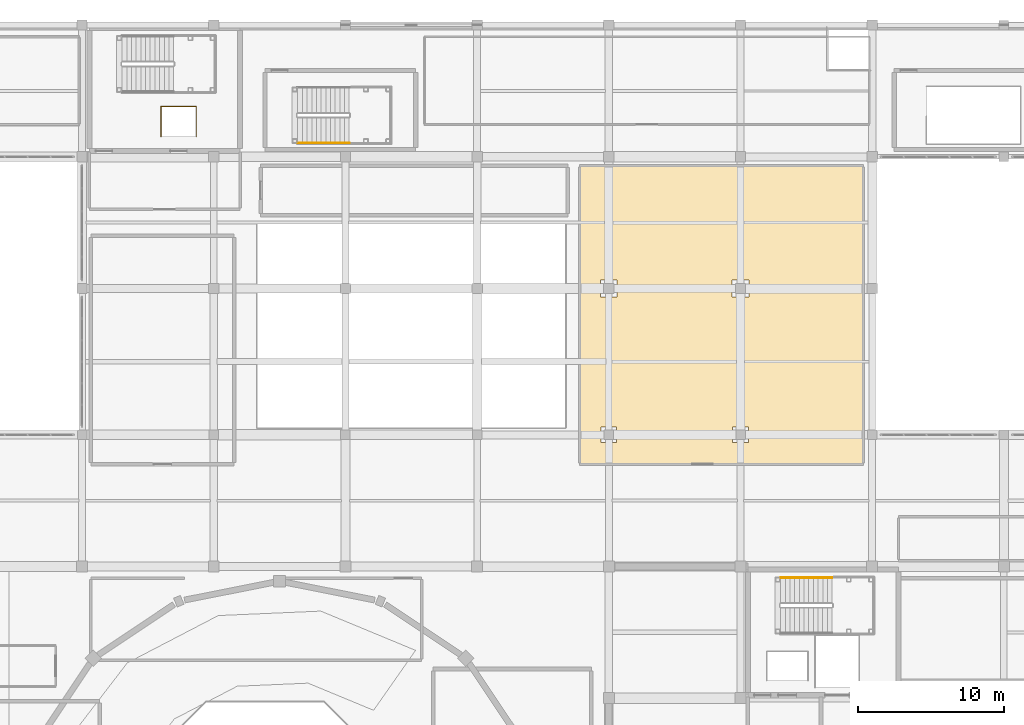
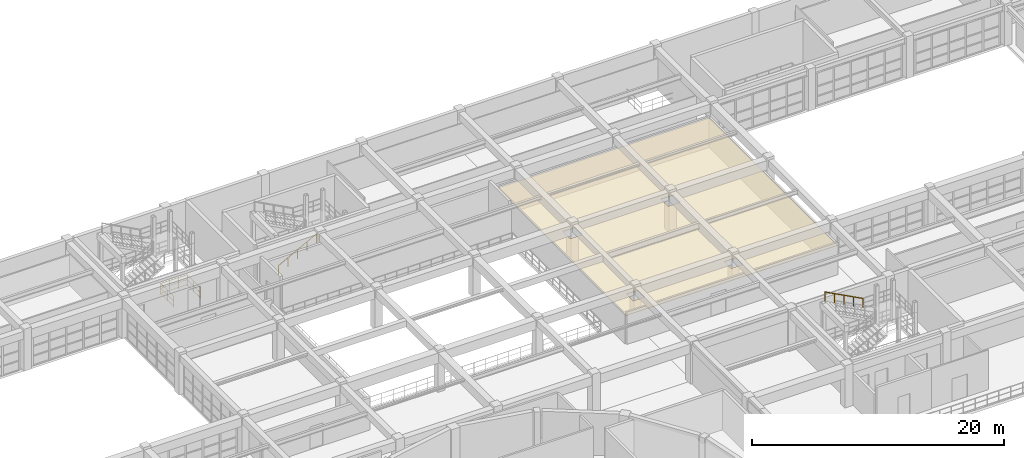
# One storey, part 128 of 130: 3 railings, 1 covering.
"""IFC4 building model written with IfcOpenShell, lengths in metres."""

from ifc_helpers import new_model, si_unit, direction, frame, origin, origin_2d, place, context, subcontext, project, spatial, polyline, circle, outline, extrude, material, layer, layer_set, type_object, element, save


model = new_model("IFC4")

# Units and contexts
model_context = context("Model", 3, precision=1e-05, world=origin(), true_north=direction((0.0, 1.0)))
body_context = subcontext(model_context, "Body", "Model", "MODEL_VIEW")
ifc_project = project(units=[si_unit("LENGTHUNIT", "METRE"), si_unit("AREAUNIT", "SQUARE_METRE"), si_unit("VOLUMEUNIT", "CUBIC_METRE"), si_unit("PLANEANGLEUNIT", "RADIAN"), si_unit("MASSUNIT", "GRAM", prefix="KILO")], contexts=[model_context])

# Site, building, storey
site_placement = place(None, origin())
site = spatial("IfcSite", under=ifc_project, at=site_placement, CompositionType="ELEMENT")
building_placement = place(site_placement, origin())
building = spatial("IfcBuilding", under=site, at=building_placement, Name="Miravela Opera House", CompositionType="ELEMENT")
storey_placement = place(building_placement, frame((0.0, 0.0, 9.52001953125)))
storey = spatial("IfcBuildingStorey", under=building, at=storey_placement, Name="L02", CompositionType="ELEMENT", Elevation=9.52001953125)

# Covering
ifc_material_1 = material(Name="Mineral-wool studio acoustic ceiling cloud")
ifc_layer = layer(ifc_material_1, 0.050048828125)
ifc_layer_set = layer_set([ifc_layer])
covering_type = type_object("IfcCoveringType", Name="ARC-CEIL-BAFFLE-50", PredefinedType="CEILING", material=ifc_layer_set)
covering_placement = place(storey_placement, frame((0.0, 0.0, 2.739990234375)))
element("IfcCovering", 1, at=covering_placement, inside=storey, type_object=covering_type, Name="Studio Balcony Seating Tier Acoustic Ceiling", PredefinedType="CEILING", context=body_context, shape_type="SweptSolid", body=[
    extrude(outline(polyline([(97.0, 82.0), (116.39990234375, 82.0), (116.39990234375, 102.39990234375), (97.0, 102.39990234375), (97.0, 82.0)]), holes=[polyline([(98.46044921875, 83.46044921875), (99.53955078125, 83.46044921875), (99.53955078125, 84.53955078125), (98.46044921875, 84.53955078125), (98.46044921875, 83.46044921875)]), polyline([(98.425048828125, 93.425048828125), (99.574951171875, 93.425048828125), (99.574951171875, 94.574951171875), (98.425048828125, 94.574951171875), (98.425048828125, 93.425048828125)]), polyline([(107.46044921875, 83.46044921875), (108.53955078125, 83.46044921875), (108.53955078125, 84.53955078125), (107.46044921875, 84.53955078125), (107.46044921875, 83.46044921875)]), polyline([(107.425048828125, 93.425048828125), (108.574951171875, 93.425048828125), (108.574951171875, 94.574951171875), (107.425048828125, 94.574951171875), (107.425048828125, 93.425048828125)])]), origin(), (0.0, 0.0, 1.0), 0.050048828125),
])

# Railings
ifc_material_2 = material(Name="Brushed bronze continuous stair handrail")
railing_type_1 = type_object("IfcRailingType", Name="ARC-RAIL-HAND-900", PredefinedType="HANDRAIL", material=ifc_material_2)
railing_1_placement = place(storey_placement, frame((114.260009765625, 74.22998046875, 2.2099609375)))
element("IfcRailing", 2, at=railing_1_placement, inside=storey, type_object=railing_type_1, Name="L02 ST-03 stair handrail 2", PredefinedType="HANDRAIL", context=body_context, shape_type="SweptSolid", body=[
    extrude(circle(Radius=0.02392578125, at=origin_2d()), frame((0.0, 0.0, 0.8759765625), z_axis=(-0.883104616746, 0.0, 0.469176124586), x_axis=(0.0, -1.0, 0.0)), (0.0, 0.0, 1.0), 3.98583984375),
    extrude(circle(Radius=0.02099609375, at=origin_2d()), origin(), (0.0, 0.0, 1.0), 0.851806640625),
    extrude(circle(Radius=0.02099609375, at=origin_2d()), frame((-0.8798828125, 0.0, 0.467529296875)), (0.0, 0.0, 1.0), 0.851806640625),
    extrude(circle(Radius=0.02099609375, at=origin_2d()), frame((-1.760009765625, 0.0, 0.93505859375)), (0.0, 0.0, 1.0), 0.851806640625),
    extrude(circle(Radius=0.02099609375, at=origin_2d()), frame((-2.64013671875, 0.0, 1.402587890625)), (0.0, 0.0, 1.0), 0.851806640625),
    extrude(circle(Radius=0.02099609375, at=origin_2d()), frame((-3.52001953125, 0.0, 1.8701171875)), (0.0, 0.0, 1.0), 0.851806640625),
])
railing_2_placement = place(storey_placement, frame((77.739990234375, 103.949951171875, 0.169921875)))
element("IfcRailing", 3, at=railing_2_placement, inside=storey, type_object=railing_type_1, Name="L02 ST-07 stair handrail 1", PredefinedType="HANDRAIL", context=body_context, shape_type="SweptSolid", body=[
    extrude(circle(Radius=0.02392578125, at=origin_2d()), frame((0.0, 0.0, 0.8759765625), z_axis=(0.883104616746, 0.0, 0.469176124586), x_axis=(0.0, 1.0, 0.0)), (0.0, 0.0, 1.0), 3.98583984375),
    extrude(circle(Radius=0.02099609375, at=origin_2d()), origin(), (0.0, 0.0, 1.0), 0.851806640625),
    extrude(circle(Radius=0.02099609375, at=origin_2d()), frame((0.8798828125, 0.0, 0.467529296875)), (0.0, 0.0, 1.0), 0.851806640625),
    extrude(circle(Radius=0.02099609375, at=origin_2d()), frame((1.760009765625, 0.0, 0.93505859375)), (0.0, 0.0, 1.0), 0.851806640625),
    extrude(circle(Radius=0.02099609375, at=origin_2d()), frame((2.64013671875, 0.0, 1.402587890625)), (0.0, 0.0, 1.0), 0.851806640625),
    extrude(circle(Radius=0.02099609375, at=origin_2d()), frame((3.52001953125, 0.0, 1.8701171875)), (0.0, 0.0, 1.0), 0.851806640625),
])
ifc_material_3 = material(Name="Painted wrought-iron stair guardrail")
railing_type_2 = type_object("IfcRailingType", Name="ARC-RAIL-STAIR-GUARD", PredefinedType="GUARDRAIL", material=ifc_material_3)
railing_3_placement = place(storey_placement, frame((68.389892578125, 104.360107421875, 0.0)))
element("IfcRailing", 4, at=railing_3_placement, inside=storey, type_object=railing_type_2, Name="Lift PL-04 Hoistway Slab Opening Guard (L02) 0136", PredefinedType="GUARDRAIL", context=body_context, shape_type="SweptSolid", body=[
    extrude(circle(Radius=0.02392578125, at=origin_2d()), frame((0.0, 0.0, 1.076171875), z_axis=(0.0, 1.0, 0.0), x_axis=(-1.0, 0.0, 0.0)), (0.0, 0.0, 1.0), 2.079833984375),
    extrude(circle(Radius=0.01611328125, at=origin_2d()), frame((0.0, 0.0, 0.60498046875), z_axis=(0.0, 1.0, 0.0), x_axis=(-1.0, 0.0, 0.0)), (0.0, 0.0, 1.0), 2.079833984375),
    extrude(circle(Radius=0.01611328125, at=origin_2d()), frame((0.0, 0.0, 0.1201171875), z_axis=(0.0, 1.0, 0.0), x_axis=(-1.0, 0.0, 0.0)), (0.0, 0.0, 1.0), 2.079833984375),
    extrude(circle(Radius=0.02392578125, at=origin_2d()), frame((0.0, 2.079833984375, 1.076171875), z_axis=(1.0, 0.0, 0.0), x_axis=(0.0, 1.0, 0.0)), (0.0, 0.0, 1.0), 2.420166015625),
    extrude(circle(Radius=0.01611328125, at=origin_2d()), frame((0.0, 2.079833984375, 0.60498046875), z_axis=(1.0, 0.0, 0.0), x_axis=(0.0, 1.0, 0.0)), (0.0, 0.0, 1.0), 2.420166015625),
    extrude(circle(Radius=0.01611328125, at=origin_2d()), frame((0.0, 2.079833984375, 0.1201171875), z_axis=(1.0, 0.0, 0.0), x_axis=(0.0, 1.0, 0.0)), (0.0, 0.0, 1.0), 2.420166015625),
    extrude(circle(Radius=0.02392578125, at=origin_2d()), frame((2.420166015625, 2.079833984375, 1.076171875), z_axis=(0.0, -1.0, 0.0), x_axis=(1.0, 0.0, 0.0)), (0.0, 0.0, 1.0), 2.079833984375),
    extrude(circle(Radius=0.01611328125, at=origin_2d()), frame((2.420166015625, 2.079833984375, 0.60498046875), z_axis=(0.0, -1.0, 0.0), x_axis=(1.0, 0.0, 0.0)), (0.0, 0.0, 1.0), 2.079833984375),
    extrude(circle(Radius=0.01611328125, at=origin_2d()), frame((2.420166015625, 2.079833984375, 0.1201171875), z_axis=(0.0, -1.0, 0.0), x_axis=(1.0, 0.0, 0.0)), (0.0, 0.0, 1.0), 2.079833984375),
    extrude(circle(Radius=0.02099609375, at=origin_2d()), origin(), (0.0, 0.0, 1.0), 1.052001953125),
    extrude(circle(Radius=0.02099609375, at=origin_2d()), frame((0.0, 1.0400390625, 0.0)), (0.0, 0.0, 1.0), 1.052001953125),
    extrude(circle(Radius=0.02099609375, at=origin_2d()), frame((0.0, 2.079833984375, 0.0)), (0.0, 0.0, 1.0), 1.052001953125),
    extrude(circle(Radius=0.02099609375, at=origin_2d()), frame((0.806640625, 2.079833984375, 0.0)), (0.0, 0.0, 1.0), 1.052001953125),
    extrude(circle(Radius=0.02099609375, at=origin_2d()), frame((1.613525390625, 2.079833984375, 0.0)), (0.0, 0.0, 1.0), 1.052001953125),
    extrude(circle(Radius=0.02099609375, at=origin_2d()), frame((2.420166015625, 2.079833984375, 0.0)), (0.0, 0.0, 1.0), 1.052001953125),
    extrude(circle(Radius=0.02099609375, at=origin_2d()), frame((2.420166015625, 1.0400390625, 0.0)), (0.0, 0.0, 1.0), 1.052001953125),
    extrude(circle(Radius=0.02099609375, at=origin_2d()), frame((2.420166015625, 0.0, 0.0)), (0.0, 0.0, 1.0), 1.052001953125),
])

save(model, "model.ifc")
